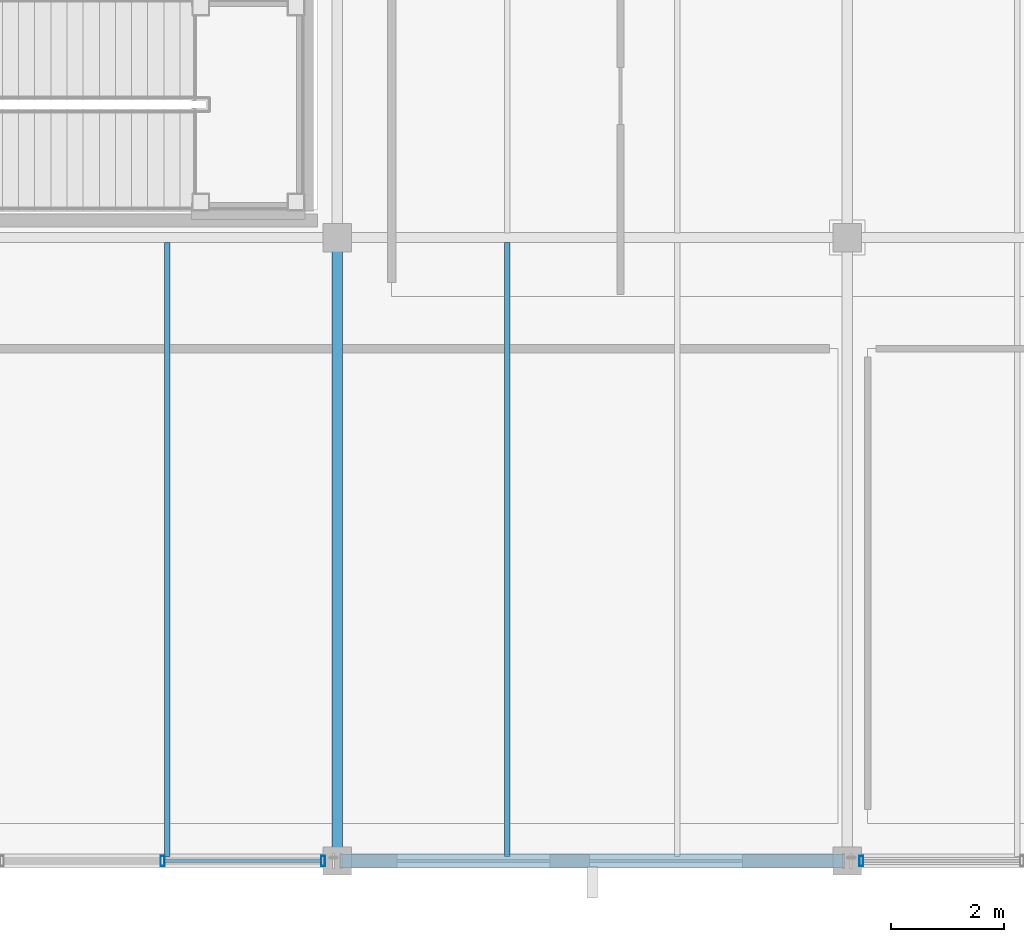
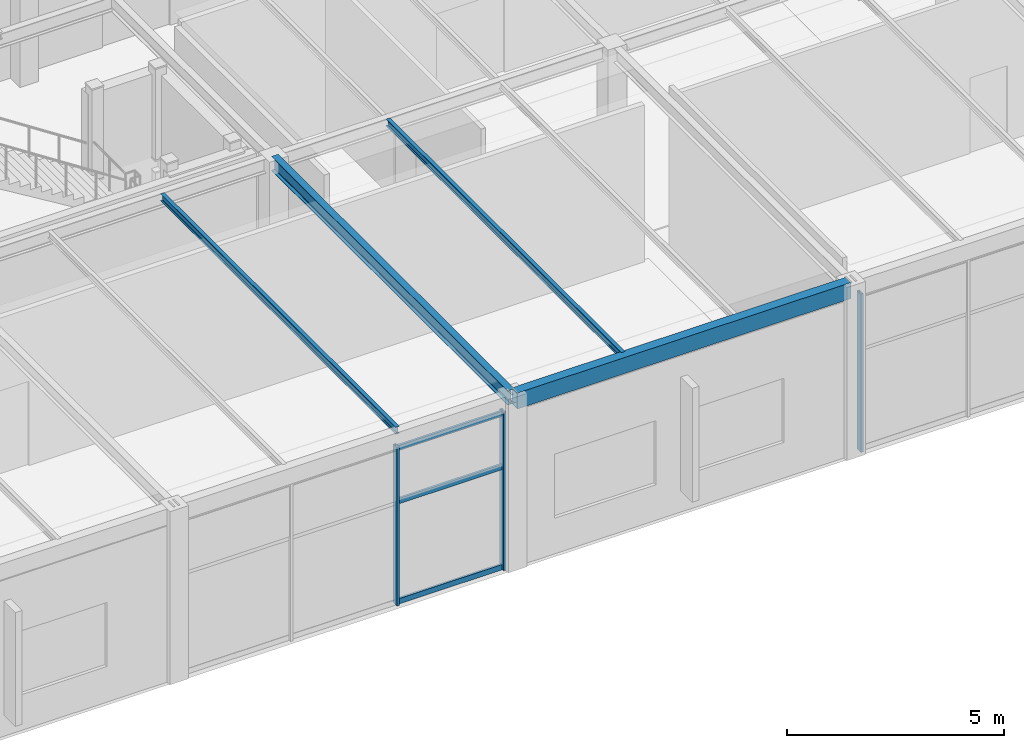
# One storey, part 64 of 195: 6 members, 4 beams, 2 elements without a shape of their own.
"""IFC4 building model written with IfcOpenShell, lengths in metres."""

import ifcopenshell
import ifcopenshell.guid

model = None  # the IFC model being written
_history = None  # IfcOwnerHistory: only IFC2X3 demands one
_inside = {}  # id of a spatial element -> (the spatial element, [elements in it])
_under = {}  # id of a project, library or spatial element -> (it, [spatial elements below it])
_declared = {}  # id of a project -> (the project, [libraries it declares])
_typed = {}  # id of a type object -> (the type object, [elements of that type])
_made_of = {}  # id of a material, layer set ... -> (it, [elements and type objects made of it])


def new_model(schema):
    """Start an empty IFC model of exactly this schema.

    Asked for "IFC4X3", IfcOpenShell would pick the latest addendum, in which some entities
    have other attributes; the version numbers below select the first issue.
    IFC2X3 requires an IfcOwnerHistory on every rooted entity: one is made here for all.
    """
    global model, _history
    if schema == "IFC4X3":
        model = ifcopenshell.file(schema_version=(4, 3, 0, 0))
    else:
        model = ifcopenshell.file(schema=schema)
    _inside.clear()
    _under.clear()
    _declared.clear()
    _typed.clear()
    _made_of.clear()
    _history = None
    if model.schema == "IFC2X3":
        org = make("IfcOrganization", Name="unknown")
        user = make(
            "IfcPersonAndOrganization",
            ThePerson=make("IfcPerson", FamilyName="unknown"),
            TheOrganization=org,
        )
        app = make(
            "IfcApplication",
            ApplicationDeveloper=org,
            Version="unknown",
            ApplicationFullName="unknown",
            ApplicationIdentifier="unknown",
        )
        _history = make(
            "IfcOwnerHistory",
            OwningUser=user,
            OwningApplication=app,
            ChangeAction="ADDED",
            CreationDate=0,
        )
    return model


def make(cls, **values):
    """One entity of the class cls with the attributes given. An attribute that is None is left unset."""
    return model.create_entity(
        cls, **{name: value for name, value in values.items() if value is not None}
    )


def rooted(cls, **values):
    """An entity with a GlobalId (a new one), such as an element, a storey or a relation."""
    return make(cls, GlobalId=ifcopenshell.guid.new(), OwnerHistory=_history, **values)


def si_unit(unit_type, name, prefix=None):
    """IfcSIUnit, for example si_unit("LENGTHUNIT", "METRE", prefix="MILLI")."""
    return make("IfcSIUnit", UnitType=unit_type, Prefix=prefix, Name=name)


def assignment(units):
    """IfcUnitAssignment: the units of a project."""
    return None if units is None else make("IfcUnitAssignment", Units=units)


def point(xyz):
    """IfcCartesianPoint."""
    return None if xyz is None else make("IfcCartesianPoint", Coordinates=xyz)


def direction(xyz):
    """IfcDirection."""
    return None if xyz is None else make("IfcDirection", DirectionRatios=xyz)


def frame(location, z_axis=None, x_axis=None):
    """IfcAxis2Placement3D, a coordinate frame: its origin and axes. An axis left out is left unset."""
    return make(
        "IfcAxis2Placement3D",
        Location=point(location),
        Axis=direction(z_axis),
        RefDirection=direction(x_axis),
    )


def frame_2d(location, x_axis=None):
    """IfcAxis2Placement2D, a coordinate frame in the plane: its origin and x axis."""
    return make(
        "IfcAxis2Placement2D", Location=point(location), RefDirection=direction(x_axis)
    )


def origin():
    """The frame at (0, 0, 0) with its axes left unset."""
    return frame((0.0, 0.0, 0.0))


def origin_2d():
    """The frame at (0, 0) in the plane with its x axis left unset."""
    return frame_2d((0.0, 0.0))


def place(relative_to, where):
    """IfcLocalPlacement: puts the frame where relative to a parent placement (None: the world)."""
    return make(
        "IfcLocalPlacement", PlacementRelTo=relative_to, RelativePlacement=where
    )


def context(
    kind, dimensions, precision=None, world=None, true_north=None, identifier=None
):
    """IfcGeometricRepresentationContext, for example the 3D "Model" context."""
    return make(
        "IfcGeometricRepresentationContext",
        ContextIdentifier=identifier,
        ContextType=kind,
        CoordinateSpaceDimension=dimensions,
        Precision=precision,
        WorldCoordinateSystem=world,
        TrueNorth=true_north,
    )


def subcontext(parent, identifier, kind, view, scale=None):
    """IfcGeometricRepresentationSubContext, for example "Body" below "Model"."""
    return make(
        "IfcGeometricRepresentationSubContext",
        ContextIdentifier=identifier,
        ContextType=kind,
        ParentContext=parent,
        TargetScale=scale,
        TargetView=view,
    )


def project(units=None, contexts=None):
    """IfcProject with its units and contexts."""
    return rooted(
        "IfcProject",
        Name="project",
        RepresentationContexts=contexts,
        UnitsInContext=assignment(units),
    )


def spatial(cls, under=None, at=None, **own):
    """A site, building, storey or space (cls), placed at a placement, below another one or the project."""
    s = rooted(cls, ObjectPlacement=at, **own)
    if under is not None:
        _under.setdefault(under.id(), (under, []))[1].append(s)
    return s


def profile(cls, at=None, kind="AREA", **sizes):
    """A parametric profile (cls). Its sizes go by their IFC names, for example OverallWidth=200.0."""
    return make(cls, ProfileType=kind, Position=at, **sizes)


def hollow_rectangle(**sizes):
    """IfcRectangleHollowProfileDef."""
    return profile("IfcRectangleHollowProfileDef", **sizes)


def i_section(**sizes):
    """IfcIShapeProfileDef."""
    return profile("IfcIShapeProfileDef", **sizes)


def extrude(swept, where, along, depth):
    """IfcExtrudedAreaSolid: the profile swept, set in the frame where, extruded along a direction by depth."""
    return make(
        "IfcExtrudedAreaSolid",
        SweptArea=swept,
        Position=where,
        ExtrudedDirection=direction(along),
        Depth=depth,
    )


def shape(context_of_items, identifier, shape_type, items):
    """IfcShapeRepresentation: the items that make up one representation, for example the "Body"."""
    return make(
        "IfcShapeRepresentation",
        ContextOfItems=context_of_items,
        RepresentationIdentifier=identifier,
        RepresentationType=shape_type,
        Items=items,
    )


def material(Name=None, Category=None):
    """IfcMaterial."""
    return make("IfcMaterial", Name=Name, Category=Category)


def layer(
    of_material, thickness, ventilated=None, Name=None, Category=None, Priority=None
):
    """IfcMaterialLayer: one layer of a wall or slab, of a material (None: an air gap)."""
    return make(
        "IfcMaterialLayer",
        Material=of_material,
        LayerThickness=thickness,
        IsVentilated=ventilated,
        Name=Name,
        Category=Category,
        Priority=Priority,
    )


def layer_set(layers, Name=None):
    """IfcMaterialLayerSet."""
    return make("IfcMaterialLayerSet", MaterialLayers=layers, LayerSetName=Name)


def material_profile(
    of_material, cross_section, Name=None, Category=None, Priority=None
):
    """IfcMaterialProfile: a cross section and its material."""
    return make(
        "IfcMaterialProfile",
        Name=Name,
        Material=of_material,
        Profile=cross_section,
        Priority=Priority,
        Category=Category,
    )


def profile_set(profiles, Name=None, composite=None):
    """IfcMaterialProfileSet."""
    return make(
        "IfcMaterialProfileSet",
        Name=Name,
        MaterialProfiles=profiles,
        CompositeProfile=composite,
    )


def made_of(thing, what):
    """Note that an element or type object is made of a material, layer set ...; save() writes the relation."""
    if what is not None:
        _made_of.setdefault(what.id(), (what, []))[1].append(thing)
    return thing


def type_object(cls, material=None, **own):
    """A type object (cls), such as IfcWallType, which elements share."""
    return made_of(rooted(cls, **own), material)


def element(
    cls,
    number,
    at=None,
    inside=None,
    cuts=None,
    type_object=None,
    material=None,
    context=None,
    identifier="Body",
    shape_type=None,
    held_by="IfcProductDefinitionShape",
    body=None,
    shapes=None,
    **own,
):
    """One element of the class cls, such as IfcWall. Its Tag is "e" and its number.

    at: its placement. inside: the storey or other place that contains it. cuts: it is an
    opening in that element (IfcRelVoidsElement). A single representation is given by context,
    identifier, shape_type and body (its items); several are given by shapes. held_by: the class
    of the entity that holds the representations. save() writes the other relations.
    """
    e = rooted(cls, Tag="e%d" % number, ObjectPlacement=at, **own)
    if body is not None:
        shapes = [shape(context, identifier, shape_type, body)]
    if shapes is not None:
        e.Representation = make(held_by, Representations=shapes)
    if inside is not None:
        _inside.setdefault(inside.id(), (inside, []))[1].append(e)
    if cuts is not None:
        rooted(
            "IfcRelVoidsElement", RelatingBuildingElement=cuts, RelatedOpeningElement=e
        )
    if type_object is not None:
        _typed.setdefault(type_object.id(), (type_object, []))[1].append(e)
    return made_of(e, material)


def aggregate(whole, parts):
    """IfcRelAggregates: a whole, such as a stair, and the parts it consists of."""
    return rooted("IfcRelAggregates", RelatingObject=whole, RelatedObjects=parts)


def save(model, path):
    """Write the relations noted so far, then the file.

    IfcRelAggregates (storeys below a building ...), IfcRelContainedInSpatialStructure (elements
    in a storey), IfcRelDefinesByType, IfcRelAssociatesMaterial and IfcRelDeclares: one each for
    every whole, place, type object, material and project.
    """
    for whole, parts in _under.values():
        aggregate(whole, parts)
    for where, things in _inside.values():
        rooted(
            "IfcRelContainedInSpatialStructure",
            RelatedElements=things,
            RelatingStructure=where,
        )
    for kind, things in _typed.values():
        rooted("IfcRelDefinesByType", RelatedObjects=things, RelatingType=kind)
    for what, things in _made_of.values():
        rooted("IfcRelAssociatesMaterial", RelatedObjects=things, RelatingMaterial=what)
    for by, libraries in _declared.values():
        rooted("IfcRelDeclares", RelatingContext=by, RelatedDefinitions=libraries)
    model.write(path)


model = new_model("IFC4")

# Units and contexts
model_context = context("Model", 3, precision=1e-05, world=origin(), true_north=direction((0.0, 1.0)))
body_context = subcontext(model_context, "Body", "Model", "MODEL_VIEW")
ifc_project = project(units=[si_unit("LENGTHUNIT", "METRE"), si_unit("AREAUNIT", "SQUARE_METRE"), si_unit("VOLUMEUNIT", "CUBIC_METRE"), si_unit("PLANEANGLEUNIT", "RADIAN"), si_unit("MASSUNIT", "GRAM", prefix="KILO")], contexts=[model_context])

# Site, building, storey
site_placement = place(None, origin())
site = spatial("IfcSite", under=ifc_project, at=site_placement, CompositionType="ELEMENT")
building_placement = place(site_placement, origin())
building = spatial("IfcBuilding", under=site, at=building_placement, Name="Marlcrest Central Station", CompositionType="ELEMENT")
storey_placement = place(building_placement, frame((0.0, 0.0, 9.800048828125)))
storey = spatial("IfcBuildingStorey", under=building, at=storey_placement, Name="L02", CompositionType="ELEMENT", Elevation=9.800048828125)

# Beams
ifc_material_1 = material(Name="Steel S355", Category="steel")
ifc_material_profile_1 = material_profile(ifc_material_1, i_section(OverallWidth=0.179931640625, OverallDepth=0.39990234375, WebThickness=0.008544921875, FlangeThickness=0.013427734375, FilletRadius=0.02099609375, at=origin_2d()), Name="IPE 400")
ifc_profile_set_1 = profile_set([ifc_material_profile_1], Name="Steel S355")
beam_type_1 = type_object("IfcBeamType", Name="BM-03", PredefinedType="BEAM", material=ifc_profile_set_1)
beam_1_placement = place(storey_placement, frame((180.0, 0.06005859375, 4.669921875), z_axis=(0.0, 1.0, 0.0), x_axis=(-1.0, 0.0, 0.0)))
element("IfcBeam", 1, at=beam_1_placement, inside=storey, type_object=beam_type_1, Name="bm-BM-03-L02-00988", PredefinedType="BEAM", context=body_context, shape_type="SweptSolid", body=[
    extrude(i_section(OverallWidth=0.179931640625, OverallDepth=0.39990234375, WebThickness=0.008544921875, FlangeThickness=0.013427734375, FilletRadius=0.02099609375, at=origin_2d()), origin(), (0.0, 0.0, 1.0), 10.8798828125),
])
ifc_material_profile_2 = material_profile(ifc_material_1, i_section(OverallWidth=0.10009765625, OverallDepth=0.199951171875, WebThickness=0.005615234375, FlangeThickness=0.008544921875, FilletRadius=0.011962890625, at=origin_2d()), Name="IPE 200")
ifc_profile_set_2 = profile_set([ifc_material_profile_2], Name="Steel S355")
beam_type_2 = type_object("IfcBeamType", Name="JS-01", PredefinedType="JOIST", material=ifc_profile_set_2)
for number, where, z_axis, x_axis, name in (
    (2, (177.0, 0.0830078125, 4.77001953125), (0.0, 1.0, 0.0), (-1.0, 0.0, 0.0), "bm-JS-01-L02-01015"),
    (3, (183.0, 0.0830078125, 4.77001953125), (0.0, 1.0, 0.0), (-1.0, 0.0, 0.0), "bm-JS-01-L02-01018"),
):
    element("IfcBeam", number, at=place(storey_placement, frame(where, z_axis=z_axis, x_axis=x_axis)), inside=storey, type_object=beam_type_2, Name=name, PredefinedType="JOIST", context=body_context, shape_type="SweptSolid", body=[
        extrude(i_section(OverallWidth=0.10009765625, OverallDepth=0.199951171875, WebThickness=0.005615234375, FlangeThickness=0.008544921875, FilletRadius=0.011962890625, at=origin_2d()), origin(), (0.0, 0.0, 1.0), 10.833984375),
    ])

# Curtain wall, members
ifc_material_2 = material(Name="Anodised aluminium and hurricane laminated glass", Category="aluminium")
ifc_layer = layer(ifc_material_2, 0.179931640625, Name="CW-S1")
ifc_layer_set = layer_set([ifc_layer], Name="Anodised aluminium and hurricane laminated glass")
curtain_wall_type = type_object("IfcCurtainWallType", Name="CW-S1", PredefinedType="USERDEFINED", material=ifc_layer_set)
curtain_wall_1_placement = place(storey_placement, origin())
curtain_wall_1 = element("IfcCurtainWall", 4, at=curtain_wall_1_placement, inside=storey, type_object=curtain_wall_type, Name="cw-L02-0154", ObjectType="STICK_CURTAIN_WALL", PredefinedType="USERDEFINED")
ifc_material_3 = material(Name="Anodised aluminium 6063-T6", Category="aluminium")
ifc_material_profile_3 = material_profile(ifc_material_3, hollow_rectangle(XDim=0.070068359375, YDim=0.179931640625, WallThickness=0.0048828125, at=origin_2d()), Name="AA-RHS 180x70x5")
ifc_profile_set_3 = profile_set([ifc_material_profile_3], Name="Anodised aluminium 6063-T6")
member_type_1 = type_object("IfcMemberType", Name="ML-02", PredefinedType="MULLION", material=ifc_profile_set_3)
member_1_placement = place(storey_placement, frame((179.75, 0.0, -0.030029296875), z_axis=(0.0, 0.0, 1.0), x_axis=(1.0, 0.0, 0.0)))
member_1 = element("IfcMember", 5, at=member_1_placement, type_object=member_type_1, Name="cw-L02-0154-ml-0", PredefinedType="MULLION", context=body_context, shape_type="SweptSolid", body=[
    extrude(hollow_rectangle(XDim=0.070068359375, YDim=0.179931640625, WallThickness=0.0048828125, at=origin_2d()), origin(), (0.0, 0.0, 1.0), 4.449951171875),
])
member_2_placement = place(storey_placement, frame((176.916748046875, 0.0, -0.030029296875), z_axis=(0.0, 0.0, 1.0), x_axis=(1.0, 0.0, 0.0)))
member_2 = element("IfcMember", 6, at=member_2_placement, type_object=member_type_1, Name="cw-L02-0154-ml-1", PredefinedType="MULLION", context=body_context, shape_type="SweptSolid", body=[
    extrude(hollow_rectangle(XDim=0.070068359375, YDim=0.179931640625, WallThickness=0.0048828125, at=origin_2d()), origin(), (0.0, 0.0, 1.0), 4.449951171875),
])

# Curtain wall, member
curtain_wall_2_placement = place(storey_placement, origin())
curtain_wall_2 = element("IfcCurtainWall", 7, at=curtain_wall_2_placement, inside=storey, type_object=curtain_wall_type, Name="cw-L02-0155", ObjectType="STICK_CURTAIN_WALL", PredefinedType="USERDEFINED")
member_3_placement = place(storey_placement, frame((189.25, 0.0, -0.030029296875), z_axis=(0.0, 0.0, 1.0), x_axis=(1.0, 0.0, 0.0)))
member_3 = element("IfcMember", 8, at=member_3_placement, type_object=member_type_1, Name="cw-L02-0155-ml-3", PredefinedType="MULLION", context=body_context, shape_type="SweptSolid", body=[
    extrude(hollow_rectangle(XDim=0.070068359375, YDim=0.179931640625, WallThickness=0.0048828125, at=origin_2d()), origin(), (0.0, 0.0, 1.0), 4.449951171875),
])
aggregate(curtain_wall_2, [member_3])

# Beam
ifc_material_profile_4 = material_profile(ifc_material_1, hollow_rectangle(XDim=0.25, YDim=0.449951171875, WallThickness=0.01611328125, at=origin_2d()), Name="RHS 450x250x16")
ifc_profile_set_4 = profile_set([ifc_material_profile_4], Name="Steel S355")
beam_type_3 = type_object("IfcBeamType", Name="SP-02", PredefinedType="SPANDREL", material=ifc_profile_set_4)
beam_2_placement = place(storey_placement, frame((180.06005859375, 0.0, 4.64501953125), z_axis=(1.0, 0.0, 0.0), x_axis=(0.0, 1.0, 0.0)))
element("IfcBeam", 9, at=beam_2_placement, inside=storey, type_object=beam_type_3, Name="bm-SP-02-L02-00958", PredefinedType="SPANDREL", context=body_context, shape_type="SweptSolid", body=[
    extrude(hollow_rectangle(XDim=0.25, YDim=0.449951171875, WallThickness=0.01611328125, at=origin_2d()), origin(), (0.0, 0.0, 1.0), 8.8798828125),
])

# Member
ifc_material_profile_5 = material_profile(ifc_material_3, hollow_rectangle(XDim=0.06005859375, YDim=0.14990234375, WallThickness=0.00390625, at=origin_2d()), Name="AA-RHS 150x60x4")
ifc_profile_set_5 = profile_set([ifc_material_profile_5], Name="Anodised aluminium 6063-T6")
member_type_2 = type_object("IfcMemberType", Name="TR-01", PredefinedType="USERDEFINED", material=ifc_profile_set_5)
member_4_placement = place(storey_placement, frame((179.717041015625, 0.0, 0.0400390625), z_axis=(-1.0, 0.0, 0.0), x_axis=(0.0, -1.0, 0.0)))
member_4 = element("IfcMember", 10, at=member_4_placement, type_object=member_type_2, Name="cw-L02-0154-tr-0-sill", ObjectType="TRANSOM", PredefinedType="USERDEFINED", context=body_context, shape_type="SweptSolid", body=[
    extrude(hollow_rectangle(XDim=0.06005859375, YDim=0.14990234375, WallThickness=0.00390625, at=origin_2d()), origin(), (0.0, 0.0, 1.0), 2.767333984375),
])

member_5_placement = place(storey_placement, frame((179.717041015625, 0.0, 2.85400390625), z_axis=(-1.0, 0.0, 0.0), x_axis=(0.0, -1.0, 0.0)))
member_5 = element("IfcMember", 11, at=member_5_placement, type_object=member_type_2, Name="cw-L02-0154-tr-0-mid", ObjectType="TRANSOM", PredefinedType="USERDEFINED", context=body_context, shape_type="SweptSolid", body=[
    extrude(hollow_rectangle(XDim=0.06005859375, YDim=0.14990234375, WallThickness=0.00390625, at=origin_2d()), origin(), (0.0, 0.0, 1.0), 2.767333984375),
])

member_6_placement = place(storey_placement, frame((179.717041015625, 0.0, 4.349853515625), z_axis=(-1.0, 0.0, 0.0), x_axis=(0.0, -1.0, 0.0)))
member_6 = element("IfcMember", 12, at=member_6_placement, type_object=member_type_2, Name="cw-L02-0154-tr-0-head", ObjectType="TRANSOM", PredefinedType="USERDEFINED", context=body_context, shape_type="SweptSolid", body=[
    extrude(hollow_rectangle(XDim=0.06005859375, YDim=0.14990234375, WallThickness=0.00390625, at=origin_2d()), origin(), (0.0, 0.0, 1.0), 2.767333984375),
])

aggregate(curtain_wall_1, [member_1, member_2, member_4, member_5, member_6])

save(model, "model.ifc")
